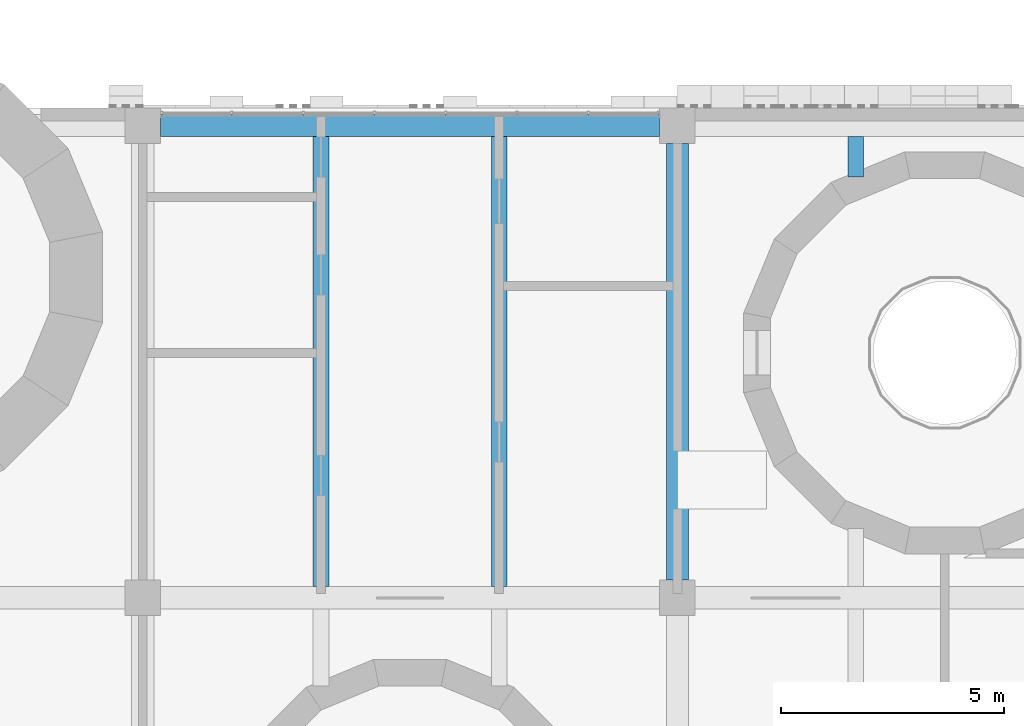
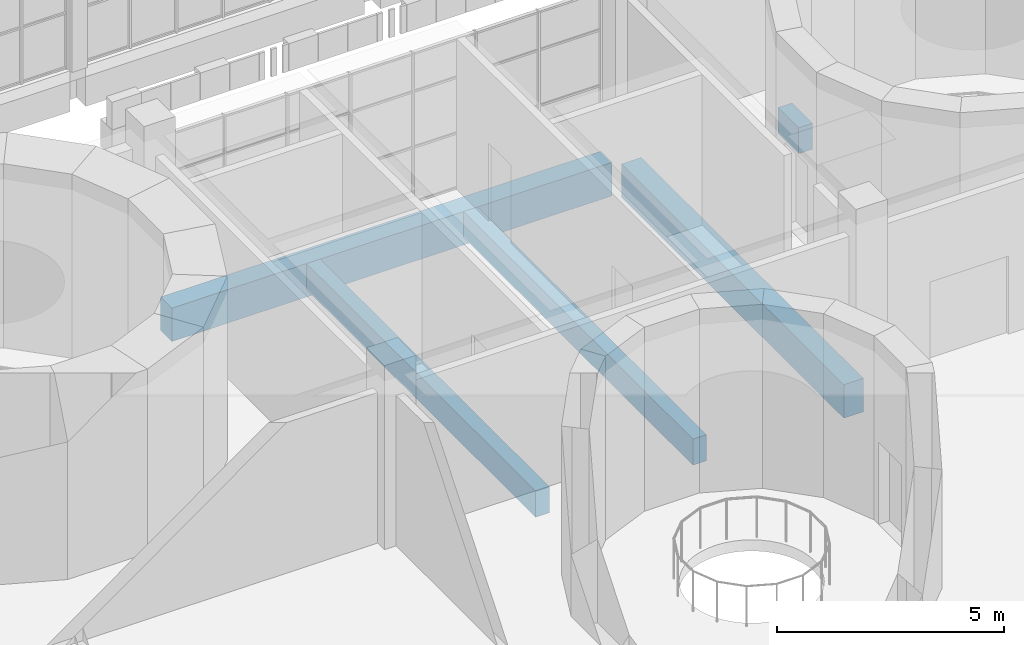
# One storey, part 6 of 125: 5 beams.
"""IFC4 building model written with IfcOpenShell, lengths in metres."""

from ifc_helpers import new_model, si_unit, direction, frame, origin, origin_2d, place, context, subcontext, project, spatial, rectangle, extrude, material, material_profile, profile_set, type_object, element, save


model = new_model("IFC4")

# Units and contexts
model_context = context("Model", 3, precision=1e-05, world=origin(), true_north=direction((0.0, 1.0)))
body_context = subcontext(model_context, "Body", "Model", "MODEL_VIEW")
ifc_project = project(units=[si_unit("LENGTHUNIT", "METRE"), si_unit("AREAUNIT", "SQUARE_METRE"), si_unit("VOLUMEUNIT", "CUBIC_METRE"), si_unit("PLANEANGLEUNIT", "RADIAN"), si_unit("MASSUNIT", "GRAM", prefix="KILO")], contexts=[model_context])

# Site, building, storey
site_placement = place(None, origin())
site = spatial("IfcSite", under=ifc_project, at=site_placement, CompositionType="ELEMENT")
building_placement = place(site_placement, origin())
building = spatial("IfcBuilding", under=site, at=building_placement, Name="Sun Court Science Centre", CompositionType="ELEMENT")
storey_placement = place(building_placement, frame((0.0, 0.0, 6.0)))
storey = spatial("IfcBuildingStorey", under=building, at=storey_placement, Name="L01", CompositionType="ELEMENT", Elevation=6.0)

# Beams
ifc_material_1 = material(Name="Concrete C25/30", Category="concrete")
ifc_material_profile_1 = material_profile(ifc_material_1, rectangle(XDim=0.5, YDim=0.89990234375, at=origin_2d()), Name="RC 500x900")
ifc_profile_set_1 = profile_set([ifc_material_profile_1], Name="Concrete C25/30")
beam_type_1 = type_object("IfcBeamType", Name="RC girder 500x900", PredefinedType="BEAM", material=ifc_profile_set_1)
beam_1_placement = place(storey_placement, frame((48.39990234375, 27.60009765625, -0.75), z_axis=(1.0, 0.0, 0.0), x_axis=(0.0, 1.0, 0.0)))
element("IfcBeam", 1, at=beam_1_placement, inside=storey, type_object=beam_type_1, Name="Girder L01 line 3", PredefinedType="BEAM", context=body_context, shape_type="SweptSolid", body=[
    extrude(rectangle(XDim=0.5, YDim=0.89990234375, at=origin_2d()), origin(), (0.0, 0.0, 1.0), 11.2001953125),
])
beam_2_placement = place(storey_placement, frame((60.0, 17.39990234375, -0.75), z_axis=(0.0, 1.0, 0.0), x_axis=(-1.0, 0.0, 0.0)))
element("IfcBeam", 2, at=beam_2_placement, inside=storey, type_object=beam_type_1, Name="Girder L01 line F", PredefinedType="BEAM", context=body_context, shape_type="SweptSolid", body=[
    extrude(rectangle(XDim=0.5, YDim=0.89990234375, at=origin_2d()), origin(), (0.0, 0.0, 1.0), 9.800048828125),
])
ifc_material_2 = material(Name="Concrete C25/30", Category="concrete")
ifc_material_profile_2 = material_profile(ifc_material_2, rectangle(XDim=0.35009765625, YDim=0.699951171875, at=origin_2d()), Name="RC 350x700")
ifc_profile_set_2 = profile_set([ifc_material_profile_2], Name="Concrete C25/30")
beam_type_2 = type_object("IfcBeamType", Name="RC joist 350x700", PredefinedType="JOIST", material=ifc_profile_set_2)
for number, where, z_axis, x_axis, name in (
    (3, (52.0, 17.25, -0.64990234375), (0.0, 1.0, 0.0), (-1.0, 0.0, 0.0), "Joist L01"),
    (4, (56.0, 17.25, -0.64990234375), (0.0, 1.0, 0.0), (-1.0, 0.0, 0.0), "Joist L01"),
):
    element("IfcBeam", number, at=place(storey_placement, frame(where, z_axis=z_axis, x_axis=x_axis)), inside=storey, type_object=beam_type_2, Name=name, PredefinedType="JOIST", context=body_context, shape_type="SweptSolid", body=[
        extrude(rectangle(XDim=0.35009765625, YDim=0.699951171875, at=origin_2d()), origin(), (0.0, 0.0, 1.0), 10.10009765625),
    ])
beam_3_placement = place(storey_placement, frame((64.0, 26.44677734375, -0.64990234375), z_axis=(0.0, 1.0, 0.0), x_axis=(-1.0, 0.0, 0.0)))
element("IfcBeam", 5, at=beam_3_placement, inside=storey, type_object=beam_type_2, Name="Joist L01", PredefinedType="JOIST", context=body_context, shape_type="SweptSolid", body=[
    extrude(rectangle(XDim=0.35009765625, YDim=0.699951171875, at=origin_2d()), origin(), (0.0, 0.0, 1.0), 0.9033203125),
])

save(model, "model.ifc")
